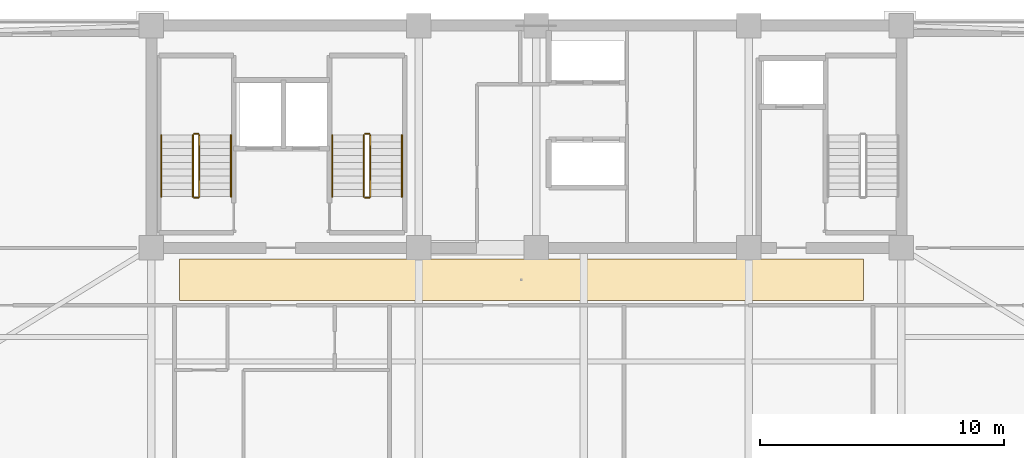
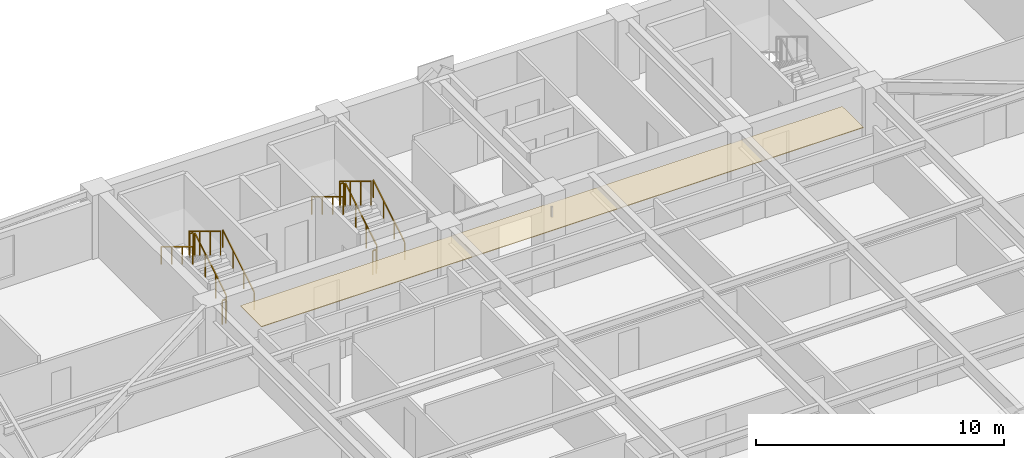
# One storey, part 14 of 16: 12 railings, 1 covering.
"""IFC4 building model written with IfcOpenShell, lengths in metres."""

import ifcopenshell
import ifcopenshell.guid

model = None  # the IFC model being written
_history = None  # IfcOwnerHistory: only IFC2X3 demands one
_inside = {}  # id of a spatial element -> (the spatial element, [elements in it])
_under = {}  # id of a project, library or spatial element -> (it, [spatial elements below it])
_declared = {}  # id of a project -> (the project, [libraries it declares])
_typed = {}  # id of a type object -> (the type object, [elements of that type])
_made_of = {}  # id of a material, layer set ... -> (it, [elements and type objects made of it])


def new_model(schema):
    """Start an empty IFC model of exactly this schema.

    Asked for "IFC4X3", IfcOpenShell would pick the latest addendum, in which some entities
    have other attributes; the version numbers below select the first issue.
    IFC2X3 requires an IfcOwnerHistory on every rooted entity: one is made here for all.
    """
    global model, _history
    if schema == "IFC4X3":
        model = ifcopenshell.file(schema_version=(4, 3, 0, 0))
    else:
        model = ifcopenshell.file(schema=schema)
    _inside.clear()
    _under.clear()
    _declared.clear()
    _typed.clear()
    _made_of.clear()
    _history = None
    if model.schema == "IFC2X3":
        org = make("IfcOrganization", Name="unknown")
        user = make(
            "IfcPersonAndOrganization",
            ThePerson=make("IfcPerson", FamilyName="unknown"),
            TheOrganization=org,
        )
        app = make(
            "IfcApplication",
            ApplicationDeveloper=org,
            Version="unknown",
            ApplicationFullName="unknown",
            ApplicationIdentifier="unknown",
        )
        _history = make(
            "IfcOwnerHistory",
            OwningUser=user,
            OwningApplication=app,
            ChangeAction="ADDED",
            CreationDate=0,
        )
    return model


def make(cls, **values):
    """One entity of the class cls with the attributes given. An attribute that is None is left unset."""
    return model.create_entity(
        cls, **{name: value for name, value in values.items() if value is not None}
    )


def rooted(cls, **values):
    """An entity with a GlobalId (a new one), such as an element, a storey or a relation."""
    return make(cls, GlobalId=ifcopenshell.guid.new(), OwnerHistory=_history, **values)


def si_unit(unit_type, name, prefix=None):
    """IfcSIUnit, for example si_unit("LENGTHUNIT", "METRE", prefix="MILLI")."""
    return make("IfcSIUnit", UnitType=unit_type, Prefix=prefix, Name=name)


def assignment(units):
    """IfcUnitAssignment: the units of a project."""
    return None if units is None else make("IfcUnitAssignment", Units=units)


def point(xyz):
    """IfcCartesianPoint."""
    return None if xyz is None else make("IfcCartesianPoint", Coordinates=xyz)


def direction(xyz):
    """IfcDirection."""
    return None if xyz is None else make("IfcDirection", DirectionRatios=xyz)


def frame(location, z_axis=None, x_axis=None):
    """IfcAxis2Placement3D, a coordinate frame: its origin and axes. An axis left out is left unset."""
    return make(
        "IfcAxis2Placement3D",
        Location=point(location),
        Axis=direction(z_axis),
        RefDirection=direction(x_axis),
    )


def frame_2d(location, x_axis=None):
    """IfcAxis2Placement2D, a coordinate frame in the plane: its origin and x axis."""
    return make(
        "IfcAxis2Placement2D", Location=point(location), RefDirection=direction(x_axis)
    )


def origin():
    """The frame at (0, 0, 0) with its axes left unset."""
    return frame((0.0, 0.0, 0.0))


def origin_2d():
    """The frame at (0, 0) in the plane with its x axis left unset."""
    return frame_2d((0.0, 0.0))


def place(relative_to, where):
    """IfcLocalPlacement: puts the frame where relative to a parent placement (None: the world)."""
    return make(
        "IfcLocalPlacement", PlacementRelTo=relative_to, RelativePlacement=where
    )


def context(
    kind, dimensions, precision=None, world=None, true_north=None, identifier=None
):
    """IfcGeometricRepresentationContext, for example the 3D "Model" context."""
    return make(
        "IfcGeometricRepresentationContext",
        ContextIdentifier=identifier,
        ContextType=kind,
        CoordinateSpaceDimension=dimensions,
        Precision=precision,
        WorldCoordinateSystem=world,
        TrueNorth=true_north,
    )


def subcontext(parent, identifier, kind, view, scale=None):
    """IfcGeometricRepresentationSubContext, for example "Body" below "Model"."""
    return make(
        "IfcGeometricRepresentationSubContext",
        ContextIdentifier=identifier,
        ContextType=kind,
        ParentContext=parent,
        TargetScale=scale,
        TargetView=view,
    )


def project(units=None, contexts=None):
    """IfcProject with its units and contexts."""
    return rooted(
        "IfcProject",
        Name="project",
        RepresentationContexts=contexts,
        UnitsInContext=assignment(units),
    )


def spatial(cls, under=None, at=None, **own):
    """A site, building, storey or space (cls), placed at a placement, below another one or the project."""
    s = rooted(cls, ObjectPlacement=at, **own)
    if under is not None:
        _under.setdefault(under.id(), (under, []))[1].append(s)
    return s


def polyline(points):
    """IfcPolyline through the points."""
    return make("IfcPolyline", Points=[point(p) for p in points])


def profile(cls, at=None, kind="AREA", **sizes):
    """A parametric profile (cls). Its sizes go by their IFC names, for example OverallWidth=200.0."""
    return make(cls, ProfileType=kind, Position=at, **sizes)


def rectangle(**sizes):
    """IfcRectangleProfileDef."""
    return profile("IfcRectangleProfileDef", **sizes)


def outline(outer, holes=None, kind="AREA"):
    """IfcArbitraryClosedProfileDef: a profile drawn as a closed curve; with holes, ...WithVoids."""
    if holes is None:
        return make("IfcArbitraryClosedProfileDef", ProfileType=kind, OuterCurve=outer)
    return make(
        "IfcArbitraryProfileDefWithVoids",
        ProfileType=kind,
        OuterCurve=outer,
        InnerCurves=holes,
    )


def extrude(swept, where, along, depth):
    """IfcExtrudedAreaSolid: the profile swept, set in the frame where, extruded along a direction by depth."""
    return make(
        "IfcExtrudedAreaSolid",
        SweptArea=swept,
        Position=where,
        ExtrudedDirection=direction(along),
        Depth=depth,
    )


def shape(context_of_items, identifier, shape_type, items):
    """IfcShapeRepresentation: the items that make up one representation, for example the "Body"."""
    return make(
        "IfcShapeRepresentation",
        ContextOfItems=context_of_items,
        RepresentationIdentifier=identifier,
        RepresentationType=shape_type,
        Items=items,
    )


def material(Name=None, Category=None):
    """IfcMaterial."""
    return make("IfcMaterial", Name=Name, Category=Category)


def layer(
    of_material, thickness, ventilated=None, Name=None, Category=None, Priority=None
):
    """IfcMaterialLayer: one layer of a wall or slab, of a material (None: an air gap)."""
    return make(
        "IfcMaterialLayer",
        Material=of_material,
        LayerThickness=thickness,
        IsVentilated=ventilated,
        Name=Name,
        Category=Category,
        Priority=Priority,
    )


def layer_set(layers, Name=None):
    """IfcMaterialLayerSet."""
    return make("IfcMaterialLayerSet", MaterialLayers=layers, LayerSetName=Name)


def made_of(thing, what):
    """Note that an element or type object is made of a material, layer set ...; save() writes the relation."""
    if what is not None:
        _made_of.setdefault(what.id(), (what, []))[1].append(thing)
    return thing


def type_object(cls, material=None, **own):
    """A type object (cls), such as IfcWallType, which elements share."""
    return made_of(rooted(cls, **own), material)


def element(
    cls,
    number,
    at=None,
    inside=None,
    cuts=None,
    type_object=None,
    material=None,
    context=None,
    identifier="Body",
    shape_type=None,
    held_by="IfcProductDefinitionShape",
    body=None,
    shapes=None,
    **own,
):
    """One element of the class cls, such as IfcWall. Its Tag is "e" and its number.

    at: its placement. inside: the storey or other place that contains it. cuts: it is an
    opening in that element (IfcRelVoidsElement). A single representation is given by context,
    identifier, shape_type and body (its items); several are given by shapes. held_by: the class
    of the entity that holds the representations. save() writes the other relations.
    """
    e = rooted(cls, Tag="e%d" % number, ObjectPlacement=at, **own)
    if body is not None:
        shapes = [shape(context, identifier, shape_type, body)]
    if shapes is not None:
        e.Representation = make(held_by, Representations=shapes)
    if inside is not None:
        _inside.setdefault(inside.id(), (inside, []))[1].append(e)
    if cuts is not None:
        rooted(
            "IfcRelVoidsElement", RelatingBuildingElement=cuts, RelatedOpeningElement=e
        )
    if type_object is not None:
        _typed.setdefault(type_object.id(), (type_object, []))[1].append(e)
    return made_of(e, material)


def aggregate(whole, parts):
    """IfcRelAggregates: a whole, such as a stair, and the parts it consists of."""
    return rooted("IfcRelAggregates", RelatingObject=whole, RelatedObjects=parts)


def save(model, path):
    """Write the relations noted so far, then the file.

    IfcRelAggregates (storeys below a building ...), IfcRelContainedInSpatialStructure (elements
    in a storey), IfcRelDefinesByType, IfcRelAssociatesMaterial and IfcRelDeclares: one each for
    every whole, place, type object, material and project.
    """
    for whole, parts in _under.values():
        aggregate(whole, parts)
    for where, things in _inside.values():
        rooted(
            "IfcRelContainedInSpatialStructure",
            RelatedElements=things,
            RelatingStructure=where,
        )
    for kind, things in _typed.values():
        rooted("IfcRelDefinesByType", RelatedObjects=things, RelatingType=kind)
    for what, things in _made_of.values():
        rooted("IfcRelAssociatesMaterial", RelatedObjects=things, RelatingMaterial=what)
    for by, libraries in _declared.values():
        rooted("IfcRelDeclares", RelatingContext=by, RelatedDefinitions=libraries)
    model.write(path)


model = new_model("IFC4")

# Units and contexts
model_context = context("Model", 3, precision=1e-05, world=origin(), true_north=direction((0.0, 1.0)))
body_context = subcontext(model_context, "Body", "Model", "MODEL_VIEW")
ifc_project = project(units=[si_unit("LENGTHUNIT", "METRE"), si_unit("AREAUNIT", "SQUARE_METRE"), si_unit("VOLUMEUNIT", "CUBIC_METRE"), si_unit("PLANEANGLEUNIT", "RADIAN"), si_unit("MASSUNIT", "GRAM", prefix="KILO")], contexts=[model_context])

# Site, building, storey
site_placement = place(None, origin())
site = spatial("IfcSite", under=ifc_project, at=site_placement, CompositionType="ELEMENT")
building_placement = place(site_placement, origin())
building = spatial("IfcBuilding", under=site, at=building_placement, Name="Giltprow Tower", CompositionType="ELEMENT")
storey_placement = place(building_placement, frame((0.0, 0.0, 233.800048828125)))
storey = spatial("IfcBuildingStorey", under=building, at=storey_placement, Name="L59", CompositionType="ELEMENT", Elevation=233.800048828125)

# Covering
ifc_material_1 = material(Name="Painted gypsum board", Category="gypsum")
ifc_layer = layer(ifc_material_1, 0.030029296875, Name="Painted gypsum board")
ifc_layer_set = layer_set([ifc_layer], Name="Painted gypsum board")
covering_type = type_object("IfcCoveringType", Name="COV-CLG-GYPSUM", PredefinedType="CEILING", material=ifc_layer_set)
covering_placement = place(storey_placement, frame((0.0, 0.0, 2.619873046875)))
element("IfcCovering", 1, at=covering_placement, inside=storey, type_object=covering_type, Name="L59 Residence Gallery Ceiling", PredefinedType="CEILING", context=body_context, shape_type="SweptSolid", body=[
    extrude(outline(polyline([(21.0, 35.300048828125), (49.0, 35.300048828125), (49.0, 37.0), (21.0, 37.0), (21.0, 35.300048828125)])), origin(), (0.0, 0.0, 1.0), 0.030029296875),
])

# Railings
ifc_material_2 = material(Name="Anodized bronze", Category="metal")
railing_type_1 = type_object("IfcRailingType", Name="RAIL-STAIR-GUARD-1200", PredefinedType="GUARDRAIL", material=ifc_material_2)
railing_1_placement = place(storey_placement, frame((21.81005859375, 39.550048828125, 0.169921875)))
element("IfcRailing", 2, at=railing_1_placement, inside=storey, type_object=railing_type_1, Name="L59 ST-1 stair guard 1", PredefinedType="GUARDRAIL", context=body_context, shape_type="SweptSolid", body=[
    extrude(rectangle(XDim=0.048095703125, YDim=0.048095703125, at=origin_2d()), frame((0.0, 0.0, 1.17578125), z_axis=(0.0, 0.85478489116, 0.518982456201), x_axis=(-1.0, 0.0, 0.0)), (0.0, 0.0, 1.0), 2.9482421875),
    extrude(rectangle(XDim=0.0419921875, YDim=0.0419921875, at=origin_2d()), origin(), (0.0, 0.0, 1.0), 1.15185546875),
    extrude(rectangle(XDim=0.0419921875, YDim=0.0419921875, at=origin_2d()), frame((0.0, 0.840087890625, 0.510009765625)), (0.0, 0.0, 1.0), 1.15185546875),
    extrude(rectangle(XDim=0.0419921875, YDim=0.0419921875, at=origin_2d()), frame((0.0, 1.679931640625, 1.02001953125)), (0.0, 0.0, 1.0), 1.15185546875),
    extrude(rectangle(XDim=0.0419921875, YDim=0.0419921875, at=origin_2d()), frame((0.0, 2.52001953125, 1.530029296875)), (0.0, 0.0, 1.0), 1.15185546875),
])
railing_2_placement = place(storey_placement, frame((21.760009765625, 42.1201171875, 1.699951171875)))
element("IfcRailing", 3, at=railing_2_placement, inside=storey, type_object=railing_type_1, Name="L59 ST-1 stair guard 2", PredefinedType="GUARDRAIL", context=body_context, shape_type="SweptSolid", body=[
    extrude(rectangle(XDim=0.048095703125, YDim=0.048095703125, at=origin_2d()), frame((0.0, 0.0, 1.17578125), z_axis=(-1.0, 0.0, 0.0), x_axis=(0.0, -1.0, 0.0)), (0.0, 0.0, 1.0), 0.159912109375),
    extrude(rectangle(XDim=0.0419921875, YDim=0.0419921875, at=origin_2d()), origin(), (0.0, 0.0, 1.0), 1.15185546875),
    extrude(rectangle(XDim=0.0419921875, YDim=0.0419921875, at=origin_2d()), frame((-0.159912109375, 0.0, 0.0)), (0.0, 0.0, 1.0), 1.15185546875),
])
railing_3_placement = place(storey_placement, frame((21.550048828125, 42.070068359375, 1.869873046875)))
element("IfcRailing", 4, at=railing_3_placement, inside=storey, type_object=railing_type_1, Name="L59 ST-1 stair guard 3", PredefinedType="GUARDRAIL", context=body_context, shape_type="SweptSolid", body=[
    extrude(rectangle(XDim=0.048095703125, YDim=0.048095703125, at=origin_2d()), frame((0.0, 0.0, 1.17578125), z_axis=(0.0, -0.85478489116, 0.518982456201), x_axis=(1.0, 0.0, 0.0)), (0.0, 0.0, 1.0), 2.9482421875),
    extrude(rectangle(XDim=0.0419921875, YDim=0.0419921875, at=origin_2d()), origin(), (0.0, 0.0, 1.0), 1.15185546875),
    extrude(rectangle(XDim=0.0419921875, YDim=0.0419921875, at=origin_2d()), frame((0.0, -0.840087890625, 0.510009765625)), (0.0, 0.0, 1.0), 1.15185546875),
    extrude(rectangle(XDim=0.0419921875, YDim=0.0419921875, at=origin_2d()), frame((0.0, -1.679931640625, 1.02001953125)), (0.0, 0.0, 1.0), 1.15185546875),
    extrude(rectangle(XDim=0.0419921875, YDim=0.0419921875, at=origin_2d()), frame((0.0, -2.52001953125, 1.530029296875)), (0.0, 0.0, 1.0), 1.15185546875),
])
railing_4_placement = place(storey_placement, frame((21.760009765625, 39.5, 0.0)))
element("IfcRailing", 5, at=railing_4_placement, inside=storey, type_object=railing_type_1, Name="L59 ST-1 stair guard 4", PredefinedType="GUARDRAIL", context=body_context, shape_type="SweptSolid", body=[
    extrude(rectangle(XDim=0.048095703125, YDim=0.048095703125, at=origin_2d()), frame((0.0, 0.0, 1.17578125), z_axis=(-1.0, 0.0, 0.0), x_axis=(0.0, -1.0, 0.0)), (0.0, 0.0, 1.0), 0.159912109375),
    extrude(rectangle(XDim=0.0419921875, YDim=0.0419921875, at=origin_2d()), origin(), (0.0, 0.0, 1.0), 1.15185546875),
    extrude(rectangle(XDim=0.0419921875, YDim=0.0419921875, at=origin_2d()), frame((-0.159912109375, 0.0, 0.0)), (0.0, 0.0, 1.0), 1.15185546875),
])
railing_5_placement = place(storey_placement, frame((28.81005859375, 39.550048828125, 0.169921875)))
element("IfcRailing", 6, at=railing_5_placement, inside=storey, type_object=railing_type_1, Name="L59 ST-2 stair guard 1", PredefinedType="GUARDRAIL", context=body_context, shape_type="SweptSolid", body=[
    extrude(rectangle(XDim=0.048095703125, YDim=0.048095703125, at=origin_2d()), frame((0.0, 0.0, 1.17578125), z_axis=(0.0, 0.85478489116, 0.518982456201), x_axis=(-1.0, 0.0, 0.0)), (0.0, 0.0, 1.0), 2.9482421875),
    extrude(rectangle(XDim=0.0419921875, YDim=0.0419921875, at=origin_2d()), origin(), (0.0, 0.0, 1.0), 1.15185546875),
    extrude(rectangle(XDim=0.0419921875, YDim=0.0419921875, at=origin_2d()), frame((0.0, 0.840087890625, 0.510009765625)), (0.0, 0.0, 1.0), 1.15185546875),
    extrude(rectangle(XDim=0.0419921875, YDim=0.0419921875, at=origin_2d()), frame((0.0, 1.679931640625, 1.02001953125)), (0.0, 0.0, 1.0), 1.15185546875),
    extrude(rectangle(XDim=0.0419921875, YDim=0.0419921875, at=origin_2d()), frame((0.0, 2.52001953125, 1.530029296875)), (0.0, 0.0, 1.0), 1.15185546875),
])
railing_6_placement = place(storey_placement, frame((28.760009765625, 42.1201171875, 1.699951171875)))
element("IfcRailing", 7, at=railing_6_placement, inside=storey, type_object=railing_type_1, Name="L59 ST-2 stair guard 2", PredefinedType="GUARDRAIL", context=body_context, shape_type="SweptSolid", body=[
    extrude(rectangle(XDim=0.048095703125, YDim=0.048095703125, at=origin_2d()), frame((0.0, 0.0, 1.17578125), z_axis=(-1.0, 0.0, 0.0), x_axis=(0.0, -1.0, 0.0)), (0.0, 0.0, 1.0), 0.159912109375),
    extrude(rectangle(XDim=0.0419921875, YDim=0.0419921875, at=origin_2d()), origin(), (0.0, 0.0, 1.0), 1.15185546875),
    extrude(rectangle(XDim=0.0419921875, YDim=0.0419921875, at=origin_2d()), frame((-0.159912109375, 0.0, 0.0)), (0.0, 0.0, 1.0), 1.15185546875),
])
railing_7_placement = place(storey_placement, frame((28.550048828125, 42.070068359375, 1.869873046875)))
element("IfcRailing", 8, at=railing_7_placement, inside=storey, type_object=railing_type_1, Name="L59 ST-2 stair guard 3", PredefinedType="GUARDRAIL", context=body_context, shape_type="SweptSolid", body=[
    extrude(rectangle(XDim=0.048095703125, YDim=0.048095703125, at=origin_2d()), frame((0.0, 0.0, 1.17578125), z_axis=(0.0, -0.85478489116, 0.518982456201), x_axis=(1.0, 0.0, 0.0)), (0.0, 0.0, 1.0), 2.9482421875),
    extrude(rectangle(XDim=0.0419921875, YDim=0.0419921875, at=origin_2d()), origin(), (0.0, 0.0, 1.0), 1.15185546875),
    extrude(rectangle(XDim=0.0419921875, YDim=0.0419921875, at=origin_2d()), frame((0.0, -0.840087890625, 0.510009765625)), (0.0, 0.0, 1.0), 1.15185546875),
    extrude(rectangle(XDim=0.0419921875, YDim=0.0419921875, at=origin_2d()), frame((0.0, -1.679931640625, 1.02001953125)), (0.0, 0.0, 1.0), 1.15185546875),
    extrude(rectangle(XDim=0.0419921875, YDim=0.0419921875, at=origin_2d()), frame((0.0, -2.52001953125, 1.530029296875)), (0.0, 0.0, 1.0), 1.15185546875),
])
railing_8_placement = place(storey_placement, frame((28.760009765625, 39.5, 0.0)))
element("IfcRailing", 9, at=railing_8_placement, inside=storey, type_object=railing_type_1, Name="L59 ST-2 stair guard 4", PredefinedType="GUARDRAIL", context=body_context, shape_type="SweptSolid", body=[
    extrude(rectangle(XDim=0.048095703125, YDim=0.048095703125, at=origin_2d()), frame((0.0, 0.0, 1.17578125), z_axis=(-1.0, 0.0, 0.0), x_axis=(0.0, -1.0, 0.0)), (0.0, 0.0, 1.0), 0.159912109375),
    extrude(rectangle(XDim=0.0419921875, YDim=0.0419921875, at=origin_2d()), origin(), (0.0, 0.0, 1.0), 1.15185546875),
    extrude(rectangle(XDim=0.0419921875, YDim=0.0419921875, at=origin_2d()), frame((-0.159912109375, 0.0, 0.0)), (0.0, 0.0, 1.0), 1.15185546875),
])
railing_type_2 = type_object("IfcRailingType", Name="RAIL-STAIR-HAND-900", PredefinedType="HANDRAIL", material=ifc_material_2)
railing_9_placement = place(storey_placement, frame((23.110107421875, 39.550048828125, 0.169921875)))
element("IfcRailing", 10, at=railing_9_placement, inside=storey, type_object=railing_type_2, Name="L59 ST-1 stair handrail 1", PredefinedType="HANDRAIL", context=body_context, shape_type="SweptSolid", body=[
    extrude(rectangle(XDim=0.048095703125, YDim=0.048095703125, at=origin_2d()), frame((0.0, 0.0, 0.8759765625), z_axis=(0.0, 0.85478489116, 0.518982456201), x_axis=(-1.0, 0.0, 0.0)), (0.0, 0.0, 1.0), 2.9482421875),
    extrude(rectangle(XDim=0.0419921875, YDim=0.0419921875, at=origin_2d()), origin(), (0.0, 0.0, 1.0), 0.851806640625),
    extrude(rectangle(XDim=0.0419921875, YDim=0.0419921875, at=origin_2d()), frame((0.0, 0.840087890625, 0.510009765625)), (0.0, 0.0, 1.0), 0.851806640625),
    extrude(rectangle(XDim=0.0419921875, YDim=0.0419921875, at=origin_2d()), frame((0.0, 1.679931640625, 1.02001953125)), (0.0, 0.0, 1.0), 0.851806640625),
    extrude(rectangle(XDim=0.0419921875, YDim=0.0419921875, at=origin_2d()), frame((0.0, 2.52001953125, 1.530029296875)), (0.0, 0.0, 1.0), 0.851806640625),
])
railing_10_placement = place(storey_placement, frame((20.25, 42.070068359375, 1.869873046875)))
element("IfcRailing", 11, at=railing_10_placement, inside=storey, type_object=railing_type_2, Name="L59 ST-1 stair handrail 2", PredefinedType="HANDRAIL", context=body_context, shape_type="SweptSolid", body=[
    extrude(rectangle(XDim=0.048095703125, YDim=0.048095703125, at=origin_2d()), frame((0.0, 0.0, 0.8759765625), z_axis=(0.0, -0.85478489116, 0.518982456201), x_axis=(1.0, 0.0, 0.0)), (0.0, 0.0, 1.0), 2.9482421875),
    extrude(rectangle(XDim=0.0419921875, YDim=0.0419921875, at=origin_2d()), origin(), (0.0, 0.0, 1.0), 0.851806640625),
    extrude(rectangle(XDim=0.0419921875, YDim=0.0419921875, at=origin_2d()), frame((0.0, -0.840087890625, 0.510009765625)), (0.0, 0.0, 1.0), 0.851806640625),
    extrude(rectangle(XDim=0.0419921875, YDim=0.0419921875, at=origin_2d()), frame((0.0, -1.679931640625, 1.02001953125)), (0.0, 0.0, 1.0), 0.851806640625),
    extrude(rectangle(XDim=0.0419921875, YDim=0.0419921875, at=origin_2d()), frame((0.0, -2.52001953125, 1.530029296875)), (0.0, 0.0, 1.0), 0.851806640625),
])
railing_11_placement = place(storey_placement, frame((30.110107421875, 39.550048828125, 0.169921875)))
element("IfcRailing", 12, at=railing_11_placement, inside=storey, type_object=railing_type_2, Name="L59 ST-2 stair handrail 1", PredefinedType="HANDRAIL", context=body_context, shape_type="SweptSolid", body=[
    extrude(rectangle(XDim=0.048095703125, YDim=0.048095703125, at=origin_2d()), frame((0.0, 0.0, 0.8759765625), z_axis=(0.0, 0.85478489116, 0.518982456201), x_axis=(-1.0, 0.0, 0.0)), (0.0, 0.0, 1.0), 2.9482421875),
    extrude(rectangle(XDim=0.0419921875, YDim=0.0419921875, at=origin_2d()), origin(), (0.0, 0.0, 1.0), 0.851806640625),
    extrude(rectangle(XDim=0.0419921875, YDim=0.0419921875, at=origin_2d()), frame((0.0, 0.840087890625, 0.510009765625)), (0.0, 0.0, 1.0), 0.851806640625),
    extrude(rectangle(XDim=0.0419921875, YDim=0.0419921875, at=origin_2d()), frame((0.0, 1.679931640625, 1.02001953125)), (0.0, 0.0, 1.0), 0.851806640625),
    extrude(rectangle(XDim=0.0419921875, YDim=0.0419921875, at=origin_2d()), frame((0.0, 2.52001953125, 1.530029296875)), (0.0, 0.0, 1.0), 0.851806640625),
])
railing_12_placement = place(storey_placement, frame((27.25, 42.070068359375, 1.869873046875)))
element("IfcRailing", 13, at=railing_12_placement, inside=storey, type_object=railing_type_2, Name="L59 ST-2 stair handrail 2", PredefinedType="HANDRAIL", context=body_context, shape_type="SweptSolid", body=[
    extrude(rectangle(XDim=0.048095703125, YDim=0.048095703125, at=origin_2d()), frame((0.0, 0.0, 0.8759765625), z_axis=(0.0, -0.85478489116, 0.518982456201), x_axis=(1.0, 0.0, 0.0)), (0.0, 0.0, 1.0), 2.9482421875),
    extrude(rectangle(XDim=0.0419921875, YDim=0.0419921875, at=origin_2d()), origin(), (0.0, 0.0, 1.0), 0.851806640625),
    extrude(rectangle(XDim=0.0419921875, YDim=0.0419921875, at=origin_2d()), frame((0.0, -0.840087890625, 0.510009765625)), (0.0, 0.0, 1.0), 0.851806640625),
    extrude(rectangle(XDim=0.0419921875, YDim=0.0419921875, at=origin_2d()), frame((0.0, -1.679931640625, 1.02001953125)), (0.0, 0.0, 1.0), 0.851806640625),
    extrude(rectangle(XDim=0.0419921875, YDim=0.0419921875, at=origin_2d()), frame((0.0, -2.52001953125, 1.530029296875)), (0.0, 0.0, 1.0), 0.851806640625),
])

save(model, "model.ifc")
